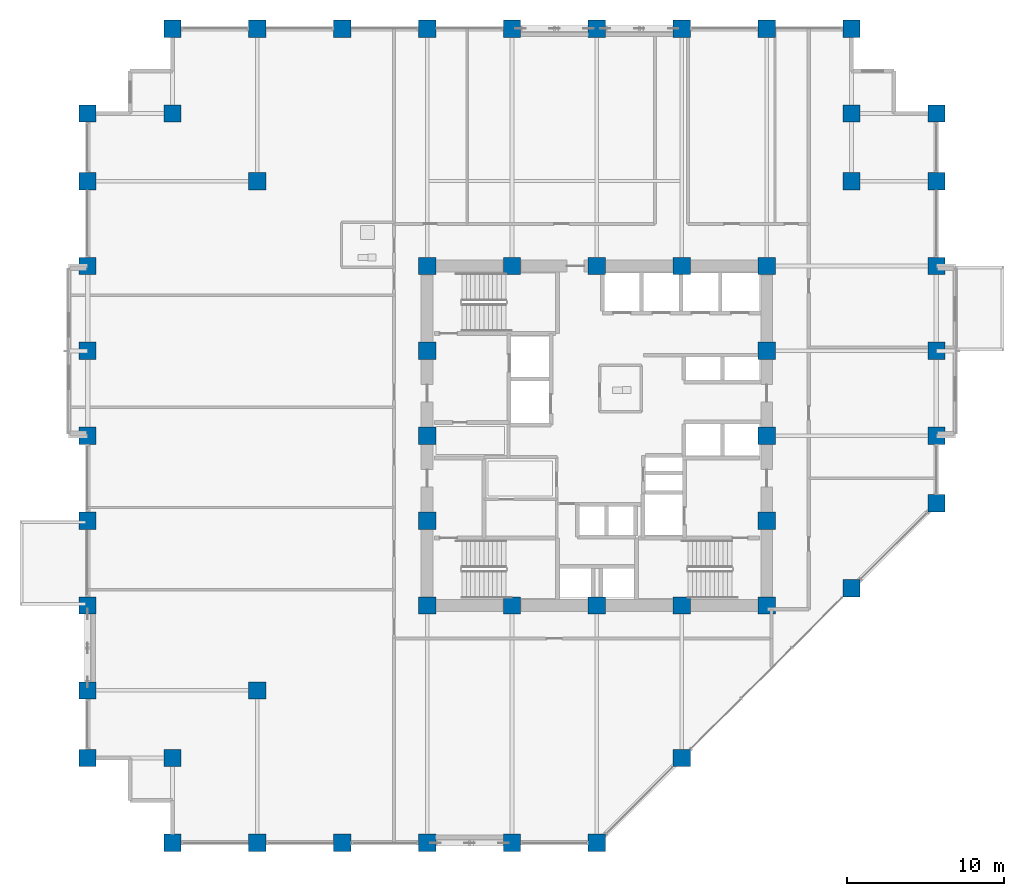
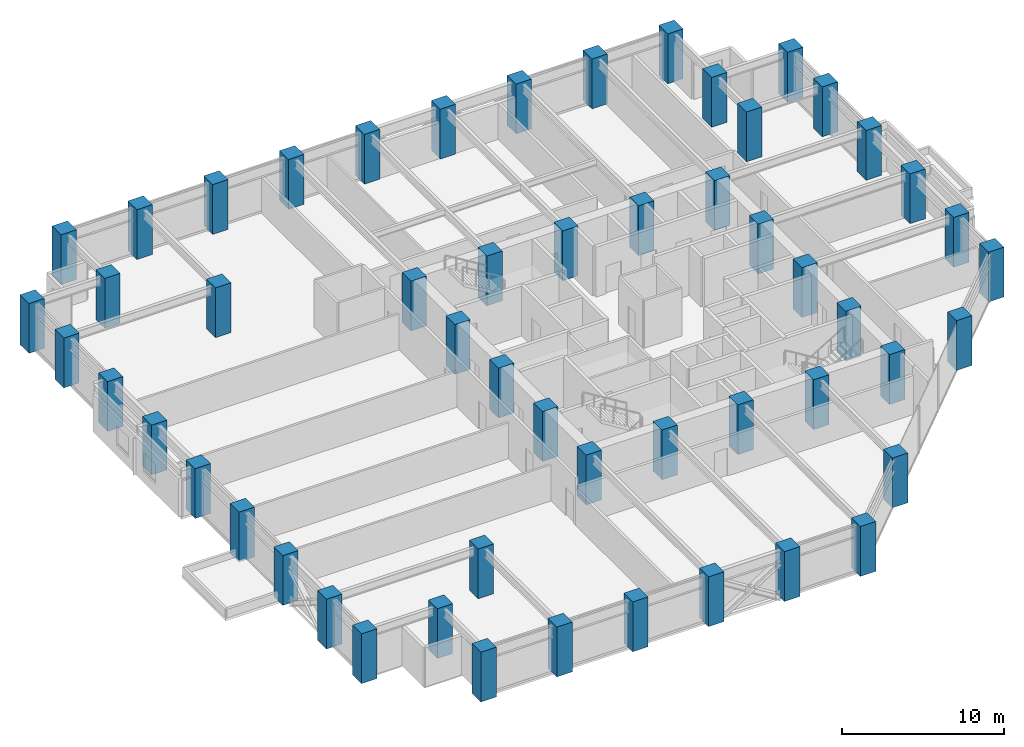
# One storey, part 1 of 25: 54 columns.
"""IFC4 building model written with IfcOpenShell, lengths in metres."""

from ifc_helpers import new_model, si_unit, direction, frame, origin, origin_2d, place, context, subcontext, project, spatial, rectangle, extrude, material, material_profile, profile_set, type_object, element, save


model = new_model("IFC4")

# Units and contexts
model_context = context("Model", 3, precision=1e-05, world=origin(), true_north=direction((0.0, 1.0)))
body_context = subcontext(model_context, "Body", "Model", "MODEL_VIEW")
ifc_project = project(units=[si_unit("LENGTHUNIT", "METRE"), si_unit("AREAUNIT", "SQUARE_METRE"), si_unit("VOLUMEUNIT", "CUBIC_METRE"), si_unit("PLANEANGLEUNIT", "RADIAN"), si_unit("MASSUNIT", "GRAM", prefix="KILO")], contexts=[model_context])

# Site, building, storey
site_placement = place(None, origin())
site = spatial("IfcSite", under=ifc_project, at=site_placement, CompositionType="ELEMENT")
building_placement = place(site_placement, origin())
building = spatial("IfcBuilding", under=site, at=building_placement, Name="Surkhivell Harbour Commons", CompositionType="ELEMENT")
storey_placement = place(building_placement, frame((0.0, 0.0, 94.5)))
storey = spatial("IfcBuildingStorey", under=building, at=storey_placement, Name="L24", CompositionType="ELEMENT", Elevation=94.5)

# Columns
ifc_material = material(Name="Concrete C60/75", Category="concrete")
ifc_material_profile = material_profile(ifc_material, rectangle(XDim=1.10009765625, YDim=1.10009765625, at=origin_2d()), Name="RC-COL-1100x1100")
ifc_profile_set = profile_set([ifc_material_profile], Name="Concrete C60/75")
column_type = type_object("IfcColumnType", Name="COL-TUBE-Z2A", PredefinedType="COLUMN", material=ifc_profile_set)
for number, where, z_axis, x_axis, name in (
    (1, (-32.39990234375, -20.5, 0.0), (0.0, 0.0, 1.0), (1.0, 0.0, 0.0), "L24 Column CT-2A (-32.4,-20.5)"),
    (2, (-32.39990234375, -16.199951171875, 0.0), (0.0, 0.0, 1.0), (1.0, 0.0, 0.0), "L24 Column CT-2A (-32.4,-16.2)"),
    (3, (-32.39990234375, -10.800048828125, 0.0), (0.0, 0.0, 1.0), (1.0, 0.0, 0.0), "L24 Column CT-2A (-32.4,-10.8)"),
    (4, (-32.39990234375, -5.39990234375, 0.0), (0.0, 0.0, 1.0), (1.0, 0.0, 0.0), "L24 Column CT-2A (-32.4,-5.4)"),
    (5, (-32.39990234375, 0.0, 0.0), (0.0, 0.0, 1.0), (1.0, 0.0, 0.0), "L24 Column CT-2A (-32.4,0.0)"),
    (6, (-32.39990234375, 5.39990234375, 0.0), (0.0, 0.0, 1.0), (1.0, 0.0, 0.0), "L24 Column CT-2A (-32.4,5.4)"),
    (7, (-32.39990234375, 10.800048828125, 0.0), (0.0, 0.0, 1.0), (1.0, 0.0, 0.0), "L24 Column CT-2A (-32.4,10.8)"),
    (8, (-32.39990234375, 16.199951171875, 0.0), (0.0, 0.0, 1.0), (1.0, 0.0, 0.0), "L24 Column CT-2A (-32.4,16.2)"),
    (9, (-32.39990234375, 20.5, 0.0), (0.0, 0.0, 1.0), (1.0, 0.0, 0.0), "L24 Column CT-2A (-32.4,20.5)"),
    (10, (-27.0, -25.89990234375, 0.0), (0.0, 0.0, 1.0), (1.0, 0.0, 0.0), "L24 Column CT-2A (-27.0,-25.9)"),
    (11, (-27.0, -20.5, 0.0), (0.0, 0.0, 1.0), (1.0, 0.0, 0.0), "L24 Column CT-2A (-27.0,-20.5)"),
    (12, (-27.0, 20.5, 0.0), (0.0, 0.0, 1.0), (1.0, 0.0, 0.0), "L24 Column CT-2A (-27.0,20.5)"),
    (13, (-27.0, 25.89990234375, 0.0), (0.0, 0.0, 1.0), (1.0, 0.0, 0.0), "L24 Column CT-2A (-27.0,25.9)"),
    (14, (-21.60009765625, -25.89990234375, 0.0), (0.0, 0.0, 1.0), (1.0, 0.0, 0.0), "L24 Column CT-2A (-21.6,-25.9)"),
    (15, (-21.60009765625, -16.199951171875, 0.0), (0.0, 0.0, 1.0), (1.0, 0.0, 0.0), "L24 Column CT-2A (-21.6,-16.2)"),
    (16, (-21.60009765625, 16.199951171875, 0.0), (0.0, 0.0, 1.0), (1.0, 0.0, 0.0), "L24 Column CT-2A (-21.6,16.2)"),
    (17, (-21.60009765625, 25.89990234375, 0.0), (0.0, 0.0, 1.0), (1.0, 0.0, 0.0), "L24 Column CT-2A (-21.6,25.9)"),
    (18, (-16.199951171875, -25.89990234375, 0.0), (0.0, 0.0, 1.0), (1.0, 0.0, 0.0), "L24 Column CT-2A (-16.2,-25.9)"),
    (19, (-16.199951171875, 25.89990234375, 0.0), (0.0, 0.0, 1.0), (1.0, 0.0, 0.0), "L24 Column CT-2A (-16.2,25.9)"),
    (20, (-10.800048828125, -25.89990234375, 0.0), (0.0, 0.0, 1.0), (1.0, 0.0, 0.0), "L24 Column CT-2A (-10.8,-25.9)"),
    (21, (-10.800048828125, -10.800048828125, 0.0), (0.0, 0.0, 1.0), (1.0, 0.0, 0.0), "L24 Column CT-2A (-10.8,-10.8)"),
    (22, (-10.800048828125, -5.39990234375, 0.0), (0.0, 0.0, 1.0), (1.0, 0.0, 0.0), "L24 Column CT-2A (-10.8,-5.4)"),
    (23, (-10.800048828125, 0.0, 0.0), (0.0, 0.0, 1.0), (1.0, 0.0, 0.0), "L24 Column CT-2A (-10.8,0.0)"),
    (24, (-10.800048828125, 5.39990234375, 0.0), (0.0, 0.0, 1.0), (1.0, 0.0, 0.0), "L24 Column CT-2A (-10.8,5.4)"),
    (25, (-10.800048828125, 10.800048828125, 0.0), (0.0, 0.0, 1.0), (1.0, 0.0, 0.0), "L24 Column CT-2A (-10.8,10.8)"),
    (26, (-10.800048828125, 25.89990234375, 0.0), (0.0, 0.0, 1.0), (1.0, 0.0, 0.0), "L24 Column CT-2A (-10.8,25.9)"),
    (27, (-5.39990234375, -25.89990234375, 0.0), (0.0, 0.0, 1.0), (1.0, 0.0, 0.0), "L24 Column CT-2A (-5.4,-25.9)"),
    (28, (-5.39990234375, -10.800048828125, 0.0), (0.0, 0.0, 1.0), (1.0, 0.0, 0.0), "L24 Column CT-2A (-5.4,-10.8)"),
    (29, (-5.39990234375, 10.800048828125, 0.0), (0.0, 0.0, 1.0), (1.0, 0.0, 0.0), "L24 Column CT-2A (-5.4,10.8)"),
    (30, (-5.39990234375, 25.89990234375, 0.0), (0.0, 0.0, 1.0), (1.0, 0.0, 0.0), "L24 Column CT-2A (-5.4,25.9)"),
    (31, (0.0, -25.89990234375, 0.0), (0.0, 0.0, 1.0), (1.0, 0.0, 0.0), "L24 Column CT-2A (-0.0,-25.9)"),
    (32, (0.0, -10.800048828125, 0.0), (0.0, 0.0, 1.0), (1.0, 0.0, 0.0), "L24 Column CT-2A (0.0,-10.8)"),
    (33, (0.0, 10.800048828125, 0.0), (0.0, 0.0, 1.0), (1.0, 0.0, 0.0), "L24 Column CT-2A (0.0,10.8)"),
    (34, (0.0, 25.89990234375, 0.0), (0.0, 0.0, 1.0), (1.0, 0.0, 0.0), "L24 Column CT-2A (-0.0,25.9)"),
    (35, (5.39990234375, -20.5, 0.0), (0.0, 0.0, 1.0), (1.0, 0.0, 0.0), "L24 Column CT-2A (5.4,-20.5)"),
    (36, (5.39990234375, -10.800048828125, 0.0), (0.0, 0.0, 1.0), (1.0, 0.0, 0.0), "L24 Column CT-2A (5.4,-10.8)"),
    (37, (5.39990234375, 10.800048828125, 0.0), (0.0, 0.0, 1.0), (1.0, 0.0, 0.0), "L24 Column CT-2A (5.4,10.8)"),
    (38, (5.39990234375, 25.89990234375, 0.0), (0.0, 0.0, 1.0), (1.0, 0.0, 0.0), "L24 Column CT-2A (5.4,25.9)"),
    (39, (10.800048828125, -10.800048828125, 0.0), (0.0, 0.0, 1.0), (1.0, 0.0, 0.0), "L24 Column CT-2A (10.8,-10.8)"),
    (40, (10.800048828125, -5.39990234375, 0.0), (0.0, 0.0, 1.0), (1.0, 0.0, 0.0), "L24 Column CT-2A (10.8,-5.4)"),
    (41, (10.800048828125, 0.0, 0.0), (0.0, 0.0, 1.0), (1.0, 0.0, 0.0), "L24 Column CT-2A (10.8,0.0)"),
    (42, (10.800048828125, 5.39990234375, 0.0), (0.0, 0.0, 1.0), (1.0, 0.0, 0.0), "L24 Column CT-2A (10.8,5.4)"),
    (43, (10.800048828125, 10.800048828125, 0.0), (0.0, 0.0, 1.0), (1.0, 0.0, 0.0), "L24 Column CT-2A (10.8,10.8)"),
    (44, (10.800048828125, 25.89990234375, 0.0), (0.0, 0.0, 1.0), (1.0, 0.0, 0.0), "L24 Column CT-2A (10.8,25.9)"),
    (45, (16.199951171875, -9.699951171875, 0.0), (0.0, 0.0, 1.0), (1.0, 0.0, 0.0), "L24 Column CT-2A (16.2,-9.7)"),
    (46, (16.199951171875, 16.199951171875, 0.0), (0.0, 0.0, 1.0), (1.0, 0.0, 0.0), "L24 Column CT-2A (16.2,16.2)"),
    (47, (16.199951171875, 20.5, 0.0), (0.0, 0.0, 1.0), (1.0, 0.0, 0.0), "L24 Column CT-2A (16.2,20.5)"),
    (48, (16.199951171875, 25.89990234375, 0.0), (0.0, 0.0, 1.0), (1.0, 0.0, 0.0), "L24 Column CT-2A (16.2,25.9)"),
    (49, (21.60009765625, -4.300048828125, 0.0), (0.0, 0.0, 1.0), (1.0, 0.0, 0.0), "L24 Column CT-2A (21.6,-4.3)"),
    (50, (21.60009765625, 0.0, 0.0), (0.0, 0.0, 1.0), (1.0, 0.0, 0.0), "L24 Column CT-2A (21.6,0.0)"),
    (51, (21.60009765625, 5.39990234375, 0.0), (0.0, 0.0, 1.0), (1.0, 0.0, 0.0), "L24 Column CT-2A (21.6,5.4)"),
    (52, (21.60009765625, 10.800048828125, 0.0), (0.0, 0.0, 1.0), (1.0, 0.0, 0.0), "L24 Column CT-2A (21.6,10.8)"),
    (53, (21.60009765625, 16.199951171875, 0.0), (0.0, 0.0, 1.0), (1.0, 0.0, 0.0), "L24 Column CT-2A (21.6,16.2)"),
    (54, (21.60009765625, 20.5, 0.0), (0.0, 0.0, 1.0), (1.0, 0.0, 0.0), "L24 Column CT-2A (21.6,20.5)"),
):
    element("IfcColumn", number, at=place(storey_placement, frame(where, z_axis=z_axis, x_axis=x_axis)), inside=storey, type_object=column_type, Name=name, PredefinedType="COLUMN", context=body_context, shape_type="SweptSolid", body=[
        extrude(rectangle(XDim=1.10009765625, YDim=1.10009765625, at=origin_2d()), origin(), (0.0, 0.0, 1.0), 3.75),
    ])

save(model, "model.ifc")
